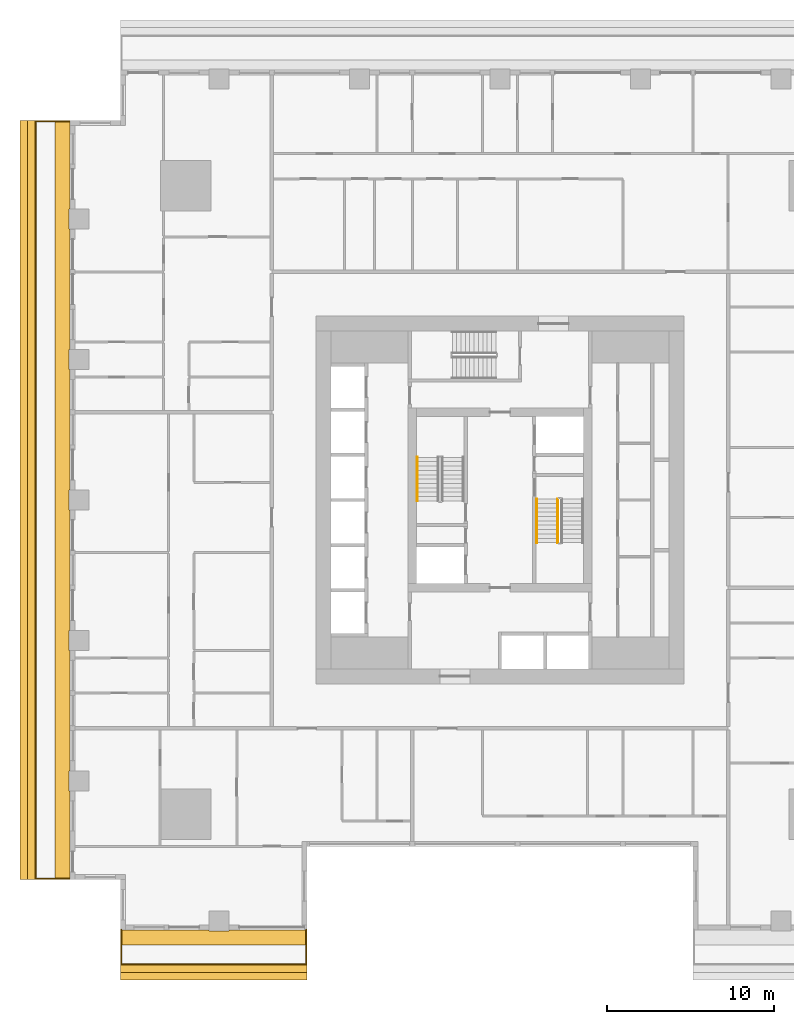
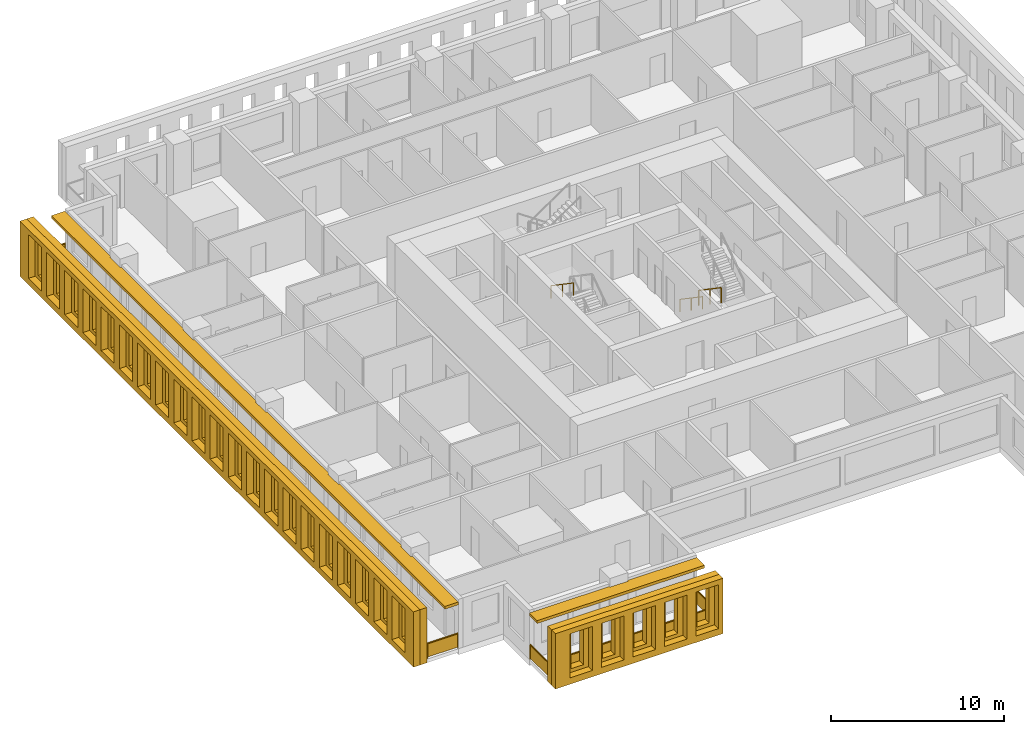
# One storey, part 10 of 14: 6 shading devices, 5 railings.
"""IFC4 building model written with IfcOpenShell, lengths in metres."""

from ifc_helpers import new_model, si_unit, direction, frame, origin, origin_2d, place, context, subcontext, project, spatial, polyline, rectangle, outline, extrude, material, layer, layer_set, type_object, element, save


model = new_model("IFC4")

# Units and contexts
model_context = context("Model", 3, precision=1e-05, world=origin(), true_north=direction((0.0, 1.0)))
body_context = subcontext(model_context, "Body", "Model", "MODEL_VIEW")
ifc_project = project(units=[si_unit("LENGTHUNIT", "METRE"), si_unit("AREAUNIT", "SQUARE_METRE"), si_unit("VOLUMEUNIT", "CUBIC_METRE"), si_unit("PLANEANGLEUNIT", "RADIAN"), si_unit("MASSUNIT", "GRAM", prefix="KILO")], contexts=[model_context])

# Site, building, storey
site_placement = place(None, origin())
site = spatial("IfcSite", under=ifc_project, at=site_placement, CompositionType="ELEMENT")
building_placement = place(site_placement, origin())
building = spatial("IfcBuilding", under=site, at=building_placement, Name="Khepri Terraces", CompositionType="ELEMENT")
storey_placement = place(building_placement, frame((0.0, 0.0, 62.10009765625)))
storey = spatial("IfcBuildingStorey", under=building, at=storey_placement, Name="L14", CompositionType="ELEMENT", Elevation=62.10009765625)

# Railings
ifc_material_1 = material(Name="Stainless steel grade 316", Category="steel")
railing_type_1 = type_object("IfcRailingType", Name="GRD-BAL-1100", PredefinedType="GUARDRAIL", material=ifc_material_1)
railing_1_placement = place(storey_placement, frame((-22.669921875, -25.719970703125, 0.0)))
element("IfcRailing", 1, at=railing_1_placement, inside=storey, type_object=railing_type_1, Name="Balcony guard L14 S", PredefinedType="GUARDRAIL", context=body_context, shape_type="SweptSolid", body=[
    extrude(rectangle(XDim=0.050048828125, YDim=0.06005859375, at=origin_2d()), frame((0.0, 0.0, 1.070068359375), z_axis=(0.0, -1.0, 0.0), x_axis=(1.0, 0.0, 0.0)), (0.0, 0.0, 1.0), 2.050048828125),
    extrude(rectangle(XDim=2.0, YDim=0.011962890625, at=origin_2d()), frame((0.0, -1.02490234375, 0.10009765625), z_axis=(0.0, 0.0, 1.0), x_axis=(0.0, -1.0, 0.0)), (0.0, 0.0, 1.0), 0.93994140625),
    extrude(rectangle(XDim=0.050048828125, YDim=0.06005859375, at=origin_2d()), frame((0.0, -2.050048828125, 1.070068359375), z_axis=(1.0, 0.0, 0.0), x_axis=(0.0, 1.0, 0.0)), (0.0, 0.0, 1.0), 11.06982421875),
    extrude(rectangle(XDim=2.163818359375, YDim=0.011962890625, at=origin_2d()), frame((1.10693359375, -2.050048828125, 0.10009765625), z_axis=(0.0, 0.0, 1.0), x_axis=(1.0, 0.0, 0.0)), (0.0, 0.0, 1.0), 0.93994140625),
    extrude(rectangle(XDim=2.163818359375, YDim=0.011962890625, at=origin_2d()), frame((3.321044921875, -2.050048828125, 0.10009765625), z_axis=(0.0, 0.0, 1.0), x_axis=(1.0, 0.0, 0.0)), (0.0, 0.0, 1.0), 0.93994140625),
    extrude(rectangle(XDim=2.163818359375, YDim=0.011962890625, at=origin_2d()), frame((5.534912109375, -2.050048828125, 0.10009765625), z_axis=(0.0, 0.0, 1.0), x_axis=(1.0, 0.0, 0.0)), (0.0, 0.0, 1.0), 0.93994140625),
    extrude(rectangle(XDim=2.163818359375, YDim=0.011962890625, at=origin_2d()), frame((7.748779296875, -2.050048828125, 0.10009765625), z_axis=(0.0, 0.0, 1.0), x_axis=(1.0, 0.0, 0.0)), (0.0, 0.0, 1.0), 0.93994140625),
    extrude(rectangle(XDim=2.163818359375, YDim=0.011962890625, at=origin_2d()), frame((9.962890625, -2.050048828125, 0.10009765625), z_axis=(0.0, 0.0, 1.0), x_axis=(1.0, 0.0, 0.0)), (0.0, 0.0, 1.0), 0.93994140625),
    extrude(rectangle(XDim=0.050048828125, YDim=0.06005859375, at=origin_2d()), frame((11.06982421875, -2.050048828125, 1.070068359375), z_axis=(0.0, 1.0, 0.0), x_axis=(-1.0, 0.0, 0.0)), (0.0, 0.0, 1.0), 2.050048828125),
    extrude(rectangle(XDim=2.0, YDim=0.011962890625, at=origin_2d()), frame((11.06982421875, -1.02490234375, 0.10009765625), z_axis=(0.0, 0.0, 1.0), x_axis=(0.0, 1.0, 0.0)), (0.0, 0.0, 1.0), 0.93994140625),
    extrude(rectangle(XDim=0.050048828125, YDim=0.050048828125, at=origin_2d()), origin(), (0.0, 0.0, 1.0), 1.0400390625),
    extrude(rectangle(XDim=0.050048828125, YDim=0.050048828125, at=origin_2d()), frame((0.0, -2.050048828125, 0.0)), (0.0, 0.0, 1.0), 1.0400390625),
    extrude(rectangle(XDim=0.050048828125, YDim=0.050048828125, at=origin_2d()), frame((2.2138671875, -2.050048828125, 0.0)), (0.0, 0.0, 1.0), 1.0400390625),
    extrude(rectangle(XDim=0.050048828125, YDim=0.050048828125, at=origin_2d()), frame((4.427978515625, -2.050048828125, 0.0)), (0.0, 0.0, 1.0), 1.0400390625),
    extrude(rectangle(XDim=0.050048828125, YDim=0.050048828125, at=origin_2d()), frame((6.641845703125, -2.050048828125, 0.0)), (0.0, 0.0, 1.0), 1.0400390625),
    extrude(rectangle(XDim=0.050048828125, YDim=0.050048828125, at=origin_2d()), frame((8.85595703125, -2.050048828125, 0.0)), (0.0, 0.0, 1.0), 1.0400390625),
    extrude(rectangle(XDim=0.050048828125, YDim=0.050048828125, at=origin_2d()), frame((11.06982421875, -2.050048828125, 0.0)), (0.0, 0.0, 1.0), 1.0400390625),
    extrude(rectangle(XDim=0.050048828125, YDim=0.050048828125, at=origin_2d()), frame((11.06982421875, 0.0, 0.0)), (0.0, 0.0, 1.0), 1.0400390625),
])
railing_2_placement = place(storey_placement, frame((-25.719970703125, 22.669921875, 0.0)))
element("IfcRailing", 2, at=railing_2_placement, inside=storey, type_object=railing_type_1, Name="Balcony guard L14 W", PredefinedType="GUARDRAIL", context=body_context, shape_type="SweptSolid", body=[
    extrude(rectangle(XDim=0.050048828125, YDim=0.06005859375, at=origin_2d()), frame((0.0, 0.0, 1.070068359375), z_axis=(-1.0, 0.0, 0.0), x_axis=(0.0, -1.0, 0.0)), (0.0, 0.0, 1.0), 2.050048828125),
    extrude(rectangle(XDim=2.0, YDim=0.011962890625, at=origin_2d()), frame((-1.02490234375, 0.0, 0.10009765625), z_axis=(0.0, 0.0, 1.0), x_axis=(-1.0, 0.0, 0.0)), (0.0, 0.0, 1.0), 0.93994140625),
    extrude(rectangle(XDim=0.050048828125, YDim=0.06005859375, at=origin_2d()), frame((-2.050048828125, 0.0, 1.070068359375), z_axis=(0.0, -1.0, 0.0), x_axis=(1.0, 0.0, 0.0)), (0.0, 0.0, 1.0), 45.33984375),
    extrude(rectangle(XDim=2.336181640625, YDim=0.011962890625, at=origin_2d()), frame((-2.050048828125, -1.193115234375, 0.10009765625), z_axis=(0.0, 0.0, 1.0), x_axis=(0.0, -1.0, 0.0)), (0.0, 0.0, 1.0), 0.93994140625),
    extrude(rectangle(XDim=2.336181640625, YDim=0.011962890625, at=origin_2d()), frame((-2.050048828125, -3.579345703125, 0.10009765625), z_axis=(0.0, 0.0, 1.0), x_axis=(0.0, -1.0, 0.0)), (0.0, 0.0, 1.0), 0.93994140625),
    extrude(rectangle(XDim=2.336181640625, YDim=0.011962890625, at=origin_2d()), frame((-2.050048828125, -5.9658203125, 0.10009765625), z_axis=(0.0, 0.0, 1.0), x_axis=(0.0, -1.0, 0.0)), (0.0, 0.0, 1.0), 0.93994140625),
    extrude(rectangle(XDim=2.336181640625, YDim=0.011962890625, at=origin_2d()), frame((-2.050048828125, -8.35205078125, 0.10009765625), z_axis=(0.0, 0.0, 1.0), x_axis=(0.0, -1.0, 0.0)), (0.0, 0.0, 1.0), 0.93994140625),
    extrude(rectangle(XDim=2.336181640625, YDim=0.011962890625, at=origin_2d()), frame((-2.050048828125, -10.73828125, 0.10009765625), z_axis=(0.0, 0.0, 1.0), x_axis=(0.0, -1.0, 0.0)), (0.0, 0.0, 1.0), 0.93994140625),
    extrude(rectangle(XDim=2.336181640625, YDim=0.011962890625, at=origin_2d()), frame((-2.050048828125, -13.124755859375, 0.10009765625), z_axis=(0.0, 0.0, 1.0), x_axis=(0.0, -1.0, 0.0)), (0.0, 0.0, 1.0), 0.93994140625),
    extrude(rectangle(XDim=2.336181640625, YDim=0.011962890625, at=origin_2d()), frame((-2.050048828125, -15.510986328125, 0.10009765625), z_axis=(0.0, 0.0, 1.0), x_axis=(0.0, -1.0, 0.0)), (0.0, 0.0, 1.0), 0.93994140625),
    extrude(rectangle(XDim=2.336181640625, YDim=0.011962890625, at=origin_2d()), frame((-2.050048828125, -17.897216796875, 0.10009765625), z_axis=(0.0, 0.0, 1.0), x_axis=(0.0, -1.0, 0.0)), (0.0, 0.0, 1.0), 0.93994140625),
    extrude(rectangle(XDim=2.336181640625, YDim=0.011962890625, at=origin_2d()), frame((-2.050048828125, -20.28369140625, 0.10009765625), z_axis=(0.0, 0.0, 1.0), x_axis=(0.0, -1.0, 0.0)), (0.0, 0.0, 1.0), 0.93994140625),
    extrude(rectangle(XDim=2.336181640625, YDim=0.011962890625, at=origin_2d()), frame((-2.050048828125, -22.669921875, 0.10009765625), z_axis=(0.0, 0.0, 1.0), x_axis=(0.0, -1.0, 0.0)), (0.0, 0.0, 1.0), 0.93994140625),
    extrude(rectangle(XDim=2.336181640625, YDim=0.011962890625, at=origin_2d()), frame((-2.050048828125, -25.05615234375, 0.10009765625), z_axis=(0.0, 0.0, 1.0), x_axis=(0.0, -1.0, 0.0)), (0.0, 0.0, 1.0), 0.93994140625),
    extrude(rectangle(XDim=2.336181640625, YDim=0.011962890625, at=origin_2d()), frame((-2.050048828125, -27.442626953125, 0.10009765625), z_axis=(0.0, 0.0, 1.0), x_axis=(0.0, -1.0, 0.0)), (0.0, 0.0, 1.0), 0.93994140625),
    extrude(rectangle(XDim=2.336181640625, YDim=0.011962890625, at=origin_2d()), frame((-2.050048828125, -29.828857421875, 0.10009765625), z_axis=(0.0, 0.0, 1.0), x_axis=(0.0, -1.0, 0.0)), (0.0, 0.0, 1.0), 0.93994140625),
    extrude(rectangle(XDim=2.336181640625, YDim=0.011962890625, at=origin_2d()), frame((-2.050048828125, -32.215087890625, 0.10009765625), z_axis=(0.0, 0.0, 1.0), x_axis=(0.0, -1.0, 0.0)), (0.0, 0.0, 1.0), 0.93994140625),
    extrude(rectangle(XDim=2.336181640625, YDim=0.011962890625, at=origin_2d()), frame((-2.050048828125, -34.6015625, 0.10009765625), z_axis=(0.0, 0.0, 1.0), x_axis=(0.0, -1.0, 0.0)), (0.0, 0.0, 1.0), 0.93994140625),
    extrude(rectangle(XDim=2.336181640625, YDim=0.011962890625, at=origin_2d()), frame((-2.050048828125, -36.98779296875, 0.10009765625), z_axis=(0.0, 0.0, 1.0), x_axis=(0.0, -1.0, 0.0)), (0.0, 0.0, 1.0), 0.93994140625),
    extrude(rectangle(XDim=2.336181640625, YDim=0.011962890625, at=origin_2d()), frame((-2.050048828125, -39.3740234375, 0.10009765625), z_axis=(0.0, 0.0, 1.0), x_axis=(0.0, -1.0, 0.0)), (0.0, 0.0, 1.0), 0.93994140625),
    extrude(rectangle(XDim=2.336181640625, YDim=0.011962890625, at=origin_2d()), frame((-2.050048828125, -41.760498046875, 0.10009765625), z_axis=(0.0, 0.0, 1.0), x_axis=(0.0, -1.0, 0.0)), (0.0, 0.0, 1.0), 0.93994140625),
    extrude(rectangle(XDim=2.336181640625, YDim=0.011962890625, at=origin_2d()), frame((-2.050048828125, -44.146728515625, 0.10009765625), z_axis=(0.0, 0.0, 1.0), x_axis=(0.0, -1.0, 0.0)), (0.0, 0.0, 1.0), 0.93994140625),
    extrude(rectangle(XDim=0.050048828125, YDim=0.06005859375, at=origin_2d()), frame((-2.050048828125, -45.33984375, 1.070068359375), z_axis=(1.0, 0.0, 0.0), x_axis=(0.0, 1.0, 0.0)), (0.0, 0.0, 1.0), 2.050048828125),
    extrude(rectangle(XDim=2.0, YDim=0.011962890625, at=origin_2d()), frame((-1.02490234375, -45.33984375, 0.10009765625), z_axis=(0.0, 0.0, 1.0), x_axis=(1.0, 0.0, 0.0)), (0.0, 0.0, 1.0), 0.93994140625),
    extrude(rectangle(XDim=0.050048828125, YDim=0.050048828125, at=origin_2d()), origin(), (0.0, 0.0, 1.0), 1.0400390625),
    extrude(rectangle(XDim=0.050048828125, YDim=0.050048828125, at=origin_2d()), frame((-2.050048828125, 0.0, 0.0)), (0.0, 0.0, 1.0), 1.0400390625),
    extrude(rectangle(XDim=0.050048828125, YDim=0.050048828125, at=origin_2d()), frame((-2.050048828125, -2.38623046875, 0.0)), (0.0, 0.0, 1.0), 1.0400390625),
    extrude(rectangle(XDim=0.050048828125, YDim=0.050048828125, at=origin_2d()), frame((-2.050048828125, -4.772705078125, 0.0)), (0.0, 0.0, 1.0), 1.0400390625),
    extrude(rectangle(XDim=0.050048828125, YDim=0.050048828125, at=origin_2d()), frame((-2.050048828125, -7.158935546875, 0.0)), (0.0, 0.0, 1.0), 1.0400390625),
    extrude(rectangle(XDim=0.050048828125, YDim=0.050048828125, at=origin_2d()), frame((-2.050048828125, -9.545166015625, 0.0)), (0.0, 0.0, 1.0), 1.0400390625),
    extrude(rectangle(XDim=0.050048828125, YDim=0.050048828125, at=origin_2d()), frame((-2.050048828125, -11.931640625, 0.0)), (0.0, 0.0, 1.0), 1.0400390625),
    extrude(rectangle(XDim=0.050048828125, YDim=0.050048828125, at=origin_2d()), frame((-2.050048828125, -14.31787109375, 0.0)), (0.0, 0.0, 1.0), 1.0400390625),
    extrude(rectangle(XDim=0.050048828125, YDim=0.050048828125, at=origin_2d()), frame((-2.050048828125, -16.7041015625, 0.0)), (0.0, 0.0, 1.0), 1.0400390625),
    extrude(rectangle(XDim=0.050048828125, YDim=0.050048828125, at=origin_2d()), frame((-2.050048828125, -19.090576171875, 0.0)), (0.0, 0.0, 1.0), 1.0400390625),
    extrude(rectangle(XDim=0.050048828125, YDim=0.050048828125, at=origin_2d()), frame((-2.050048828125, -21.476806640625, 0.0)), (0.0, 0.0, 1.0), 1.0400390625),
    extrude(rectangle(XDim=0.050048828125, YDim=0.050048828125, at=origin_2d()), frame((-2.050048828125, -23.863037109375, 0.0)), (0.0, 0.0, 1.0), 1.0400390625),
    extrude(rectangle(XDim=0.050048828125, YDim=0.050048828125, at=origin_2d()), frame((-2.050048828125, -26.249267578125, 0.0)), (0.0, 0.0, 1.0), 1.0400390625),
    extrude(rectangle(XDim=0.050048828125, YDim=0.050048828125, at=origin_2d()), frame((-2.050048828125, -28.6357421875, 0.0)), (0.0, 0.0, 1.0), 1.0400390625),
    extrude(rectangle(XDim=0.050048828125, YDim=0.050048828125, at=origin_2d()), frame((-2.050048828125, -31.02197265625, 0.0)), (0.0, 0.0, 1.0), 1.0400390625),
    extrude(rectangle(XDim=0.050048828125, YDim=0.050048828125, at=origin_2d()), frame((-2.050048828125, -33.408203125, 0.0)), (0.0, 0.0, 1.0), 1.0400390625),
    extrude(rectangle(XDim=0.050048828125, YDim=0.050048828125, at=origin_2d()), frame((-2.050048828125, -35.794677734375, 0.0)), (0.0, 0.0, 1.0), 1.0400390625),
    extrude(rectangle(XDim=0.050048828125, YDim=0.050048828125, at=origin_2d()), frame((-2.050048828125, -38.180908203125, 0.0)), (0.0, 0.0, 1.0), 1.0400390625),
    extrude(rectangle(XDim=0.050048828125, YDim=0.050048828125, at=origin_2d()), frame((-2.050048828125, -40.567138671875, 0.0)), (0.0, 0.0, 1.0), 1.0400390625),
    extrude(rectangle(XDim=0.050048828125, YDim=0.050048828125, at=origin_2d()), frame((-2.050048828125, -42.95361328125, 0.0)), (0.0, 0.0, 1.0), 1.0400390625),
    extrude(rectangle(XDim=0.050048828125, YDim=0.050048828125, at=origin_2d()), frame((-2.050048828125, -45.33984375, 0.0)), (0.0, 0.0, 1.0), 1.0400390625),
    extrude(rectangle(XDim=0.050048828125, YDim=0.050048828125, at=origin_2d()), frame((0.0, -45.33984375, 0.0)), (0.0, 0.0, 1.0), 1.0400390625),
])
ifc_material_2 = material(Name="Stainless steel 316", Category="steel")
railing_type_2 = type_object("IfcRailingType", Name="RL-CORE-GUARD", PredefinedType="GUARDRAIL", material=ifc_material_2)
railing_3_placement = place(storey_placement, frame((3.449951171875, 0.050048828125, 0.17724609375)))
element("IfcRailing", 3, at=railing_3_placement, inside=storey, type_object=railing_type_2, Name="L14 ST-2 stair guard 1", PredefinedType="GUARDRAIL", context=body_context, shape_type="SweptSolid", body=[
    extrude(rectangle(XDim=0.050048828125, YDim=0.06005859375, at=origin_2d()), frame((0.0, 0.0, 1.070068359375), z_axis=(0.0, -0.826240473404, 0.563317565952), x_axis=(1.0, 0.0, 0.0)), (0.0, 0.0, 1.0), 3.14697265625),
    extrude(rectangle(XDim=0.050048828125, YDim=0.050048828125, at=origin_2d()), origin(), (0.0, 0.0, 1.0), 1.0400390625),
    extrude(rectangle(XDim=0.050048828125, YDim=0.050048828125, at=origin_2d()), frame((0.0, -1.300048828125, 0.88623046875)), (0.0, 0.0, 1.0), 1.0400390625),
    extrude(rectangle(XDim=0.050048828125, YDim=0.050048828125, at=origin_2d()), frame((0.0, -2.60009765625, 1.772705078125)), (0.0, 0.0, 1.0), 1.0400390625),
])
railing_type_3 = type_object("IfcRailingType", Name="RL-CORE-HANDRAIL", PredefinedType="HANDRAIL", material=ifc_material_2)
for number, where, name in (
    (4, (-4.949951171875, 2.550048828125, 2.127197265625), "L14 ST-1 stair handrail 2"),
    (5, (2.199951171875, 0.050048828125, 0.17724609375), "L14 ST-2 stair handrail 1"),
):
    element("IfcRailing", number, at=place(storey_placement, frame(where)), inside=storey, type_object=railing_type_3, Name=name, PredefinedType="HANDRAIL", context=body_context, shape_type="SweptSolid", body=[
        extrude(rectangle(XDim=0.050048828125, YDim=0.050048828125, at=origin_2d()), frame((0.0, 0.0, 0.875), z_axis=(0.0, -0.826240473404, 0.563317565952), x_axis=(1.0, 0.0, 0.0)), (0.0, 0.0, 1.0), 3.14697265625),
        extrude(rectangle(XDim=0.050048828125, YDim=0.050048828125, at=origin_2d()), origin(), (0.0, 0.0, 1.0), 0.849853515625),
        extrude(rectangle(XDim=0.050048828125, YDim=0.050048828125, at=origin_2d()), frame((0.0, -1.300048828125, 0.88623046875)), (0.0, 0.0, 1.0), 0.849853515625),
        extrude(rectangle(XDim=0.050048828125, YDim=0.050048828125, at=origin_2d()), frame((0.0, -2.60009765625, 1.772705078125)), (0.0, 0.0, 1.0), 0.849853515625),
    ])

# Shading devices
ifc_material_3 = material(Name="Precast concrete C50/60 warm stone", Category="masonry")
shading_device_type_1 = type_object("IfcShadingDeviceType", Name="SCR-CELL-INNER-450", PredefinedType="USERDEFINED", material=ifc_material_3)
shading_device_1_placement = place(storey_placement, frame((-22.719970703125, -27.820068359375, -0.25), z_axis=(0.0, -1.0, 0.0), x_axis=(1.0, 0.0, 0.0)))
element("IfcShadingDevice", 6, at=shading_device_1_placement, inside=storey, type_object=shading_device_type_1, Name="Cell screen L14 S in", ObjectType="SCREEN", PredefinedType="USERDEFINED", context=body_context, shape_type="SweptSolid", body=[
    extrude(outline(polyline([(0.0, 0.0), (11.169921875, 0.0), (11.169921875, 3.89990234375), (0.0, 3.89990234375), (0.0, 0.0)]), holes=[polyline([(1.318359375, 0.699951171875), (2.12158203125, 0.699951171875), (2.12158203125, 3.300048828125), (1.318359375, 3.300048828125), (1.318359375, 0.699951171875)]), polyline([(3.41845703125, 0.699951171875), (4.2216796875, 0.699951171875), (4.2216796875, 3.300048828125), (3.41845703125, 3.300048828125), (3.41845703125, 0.699951171875)]), polyline([(5.518310546875, 0.699951171875), (6.321533203125, 0.699951171875), (6.321533203125, 3.300048828125), (5.518310546875, 3.300048828125), (5.518310546875, 0.699951171875)]), polyline([(7.618408203125, 0.699951171875), (8.421630859375, 0.699951171875), (8.421630859375, 3.300048828125), (7.618408203125, 3.300048828125), (7.618408203125, 0.699951171875)]), polyline([(9.718505859375, 0.699951171875), (10.521484375, 0.699951171875), (10.521484375, 3.300048828125), (9.718505859375, 3.300048828125), (9.718505859375, 0.699951171875)])]), origin(), (0.0, 0.0, 1.0), 0.449951171875),
])
shading_device_2_placement = place(storey_placement, frame((-27.820068359375, 22.719970703125, -0.25), z_axis=(-1.0, 0.0, 0.0), x_axis=(0.0, -1.0, 0.0)))
element("IfcShadingDevice", 7, at=shading_device_2_placement, inside=storey, type_object=shading_device_type_1, Name="Cell screen L14 W in", ObjectType="SCREEN", PredefinedType="USERDEFINED", context=body_context, shape_type="SweptSolid", body=[
    extrude(outline(polyline([(0.0, 0.0), (45.43994140625, 0.0), (45.43994140625, 3.89990234375), (0.0, 3.89990234375), (0.0, 0.0)]), holes=[polyline([(1.318359375, 0.699951171875), (2.12158203125, 0.699951171875), (2.12158203125, 3.300048828125), (1.318359375, 3.300048828125), (1.318359375, 0.699951171875)]), polyline([(3.41845703125, 0.699951171875), (4.2216796875, 0.699951171875), (4.2216796875, 3.300048828125), (3.41845703125, 3.300048828125), (3.41845703125, 0.699951171875)]), polyline([(5.518310546875, 0.699951171875), (6.321533203125, 0.699951171875), (6.321533203125, 3.300048828125), (5.518310546875, 3.300048828125), (5.518310546875, 0.699951171875)]), polyline([(7.618408203125, 0.699951171875), (8.421630859375, 0.699951171875), (8.421630859375, 3.300048828125), (7.618408203125, 3.300048828125), (7.618408203125, 0.699951171875)]), polyline([(9.718505859375, 0.699951171875), (10.521484375, 0.699951171875), (10.521484375, 3.300048828125), (9.718505859375, 3.300048828125), (9.718505859375, 0.699951171875)]), polyline([(11.818359375, 0.699951171875), (12.62158203125, 0.699951171875), (12.62158203125, 3.300048828125), (11.818359375, 3.300048828125), (11.818359375, 0.699951171875)]), polyline([(13.91845703125, 0.699951171875), (14.7216796875, 0.699951171875), (14.7216796875, 3.300048828125), (13.91845703125, 3.300048828125), (13.91845703125, 0.699951171875)]), polyline([(16.018310546875, 0.699951171875), (16.821533203125, 0.699951171875), (16.821533203125, 3.300048828125), (16.018310546875, 3.300048828125), (16.018310546875, 0.699951171875)]), polyline([(18.118408203125, 0.699951171875), (18.921630859375, 0.699951171875), (18.921630859375, 3.300048828125), (18.118408203125, 3.300048828125), (18.118408203125, 0.699951171875)]), polyline([(20.218505859375, 0.699951171875), (21.021484375, 0.699951171875), (21.021484375, 3.300048828125), (20.218505859375, 3.300048828125), (20.218505859375, 0.699951171875)]), polyline([(22.318359375, 0.699951171875), (23.12158203125, 0.699951171875), (23.12158203125, 3.300048828125), (22.318359375, 3.300048828125), (22.318359375, 0.699951171875)]), polyline([(24.41845703125, 0.699951171875), (25.2216796875, 0.699951171875), (25.2216796875, 3.300048828125), (24.41845703125, 3.300048828125), (24.41845703125, 0.699951171875)]), polyline([(26.518310546875, 0.699951171875), (27.321533203125, 0.699951171875), (27.321533203125, 3.300048828125), (26.518310546875, 3.300048828125), (26.518310546875, 0.699951171875)]), polyline([(28.618408203125, 0.699951171875), (29.421630859375, 0.699951171875), (29.421630859375, 3.300048828125), (28.618408203125, 3.300048828125), (28.618408203125, 0.699951171875)]), polyline([(30.718505859375, 0.699951171875), (31.521484375, 0.699951171875), (31.521484375, 3.300048828125), (30.718505859375, 3.300048828125), (30.718505859375, 0.699951171875)]), polyline([(32.818359375, 0.699951171875), (33.62158203125, 0.699951171875), (33.62158203125, 3.300048828125), (32.818359375, 3.300048828125), (32.818359375, 0.699951171875)]), polyline([(34.91845703125, 0.699951171875), (35.7216796875, 0.699951171875), (35.7216796875, 3.300048828125), (34.91845703125, 3.300048828125), (34.91845703125, 0.699951171875)]), polyline([(37.018310546875, 0.699951171875), (37.821533203125, 0.699951171875), (37.821533203125, 3.300048828125), (37.018310546875, 3.300048828125), (37.018310546875, 0.699951171875)]), polyline([(39.118408203125, 0.699951171875), (39.921630859375, 0.699951171875), (39.921630859375, 3.300048828125), (39.118408203125, 3.300048828125), (39.118408203125, 0.699951171875)]), polyline([(41.218505859375, 0.699951171875), (42.021484375, 0.699951171875), (42.021484375, 3.300048828125), (41.218505859375, 3.300048828125), (41.218505859375, 0.699951171875)]), polyline([(43.318359375, 0.699951171875), (44.12158203125, 0.699951171875), (44.12158203125, 3.300048828125), (43.318359375, 3.300048828125), (43.318359375, 0.699951171875)])]), origin(), (0.0, 0.0, 1.0), 0.449951171875),
])
shading_device_type_2 = type_object("IfcShadingDeviceType", Name="SCR-CELL-OUTER-450", PredefinedType="USERDEFINED", material=ifc_material_3)
shading_device_3_placement = place(storey_placement, frame((-22.719970703125, -28.27001953125, -0.25), z_axis=(0.0, -1.0, 0.0), x_axis=(1.0, 0.0, 0.0)))
element("IfcShadingDevice", 8, at=shading_device_3_placement, inside=storey, type_object=shading_device_type_2, Name="Cell screen L14 S out", ObjectType="SCREEN", PredefinedType="USERDEFINED", context=body_context, shape_type="SweptSolid", body=[
    extrude(outline(polyline([(0.0, 0.0), (11.169921875, 0.0), (11.169921875, 3.89990234375), (0.0, 3.89990234375), (0.0, 0.0)]), holes=[polyline([(0.968505859375, 0.449951171875), (2.4716796875, 0.449951171875), (2.4716796875, 3.550048828125), (0.968505859375, 3.550048828125), (0.968505859375, 0.449951171875)]), polyline([(3.068359375, 0.449951171875), (4.571533203125, 0.449951171875), (4.571533203125, 3.550048828125), (3.068359375, 3.550048828125), (3.068359375, 0.449951171875)]), polyline([(5.16845703125, 0.449951171875), (6.671630859375, 0.449951171875), (6.671630859375, 3.550048828125), (5.16845703125, 3.550048828125), (5.16845703125, 0.449951171875)]), polyline([(7.268310546875, 0.449951171875), (8.771484375, 0.449951171875), (8.771484375, 3.550048828125), (7.268310546875, 3.550048828125), (7.268310546875, 0.449951171875)]), polyline([(9.368408203125, 0.449951171875), (10.87158203125, 0.449951171875), (10.87158203125, 3.550048828125), (9.368408203125, 3.550048828125), (9.368408203125, 0.449951171875)])]), origin(), (0.0, 0.0, 1.0), 0.449951171875),
])
shading_device_4_placement = place(storey_placement, frame((-28.27001953125, 22.719970703125, -0.25), z_axis=(-1.0, 0.0, 0.0), x_axis=(0.0, -1.0, 0.0)))
element("IfcShadingDevice", 9, at=shading_device_4_placement, inside=storey, type_object=shading_device_type_2, Name="Cell screen L14 W out", ObjectType="SCREEN", PredefinedType="USERDEFINED", context=body_context, shape_type="SweptSolid", body=[
    extrude(outline(polyline([(0.0, 0.0), (45.43994140625, 0.0), (45.43994140625, 3.89990234375), (0.0, 3.89990234375), (0.0, 0.0)]), holes=[polyline([(0.968505859375, 0.449951171875), (2.4716796875, 0.449951171875), (2.4716796875, 3.550048828125), (0.968505859375, 3.550048828125), (0.968505859375, 0.449951171875)]), polyline([(3.068359375, 0.449951171875), (4.571533203125, 0.449951171875), (4.571533203125, 3.550048828125), (3.068359375, 3.550048828125), (3.068359375, 0.449951171875)]), polyline([(5.16845703125, 0.449951171875), (6.671630859375, 0.449951171875), (6.671630859375, 3.550048828125), (5.16845703125, 3.550048828125), (5.16845703125, 0.449951171875)]), polyline([(7.268310546875, 0.449951171875), (8.771484375, 0.449951171875), (8.771484375, 3.550048828125), (7.268310546875, 3.550048828125), (7.268310546875, 0.449951171875)]), polyline([(9.368408203125, 0.449951171875), (10.87158203125, 0.449951171875), (10.87158203125, 3.550048828125), (9.368408203125, 3.550048828125), (9.368408203125, 0.449951171875)]), polyline([(11.468505859375, 0.449951171875), (12.9716796875, 0.449951171875), (12.9716796875, 3.550048828125), (11.468505859375, 3.550048828125), (11.468505859375, 0.449951171875)]), polyline([(13.568359375, 0.449951171875), (15.071533203125, 0.449951171875), (15.071533203125, 3.550048828125), (13.568359375, 3.550048828125), (13.568359375, 0.449951171875)]), polyline([(15.66845703125, 0.449951171875), (17.171630859375, 0.449951171875), (17.171630859375, 3.550048828125), (15.66845703125, 3.550048828125), (15.66845703125, 0.449951171875)]), polyline([(17.768310546875, 0.449951171875), (19.271484375, 0.449951171875), (19.271484375, 3.550048828125), (17.768310546875, 3.550048828125), (17.768310546875, 0.449951171875)]), polyline([(19.868408203125, 0.449951171875), (21.37158203125, 0.449951171875), (21.37158203125, 3.550048828125), (19.868408203125, 3.550048828125), (19.868408203125, 0.449951171875)]), polyline([(21.968505859375, 0.449951171875), (23.4716796875, 0.449951171875), (23.4716796875, 3.550048828125), (21.968505859375, 3.550048828125), (21.968505859375, 0.449951171875)]), polyline([(24.068359375, 0.449951171875), (25.571533203125, 0.449951171875), (25.571533203125, 3.550048828125), (24.068359375, 3.550048828125), (24.068359375, 0.449951171875)]), polyline([(26.16845703125, 0.449951171875), (27.671630859375, 0.449951171875), (27.671630859375, 3.550048828125), (26.16845703125, 3.550048828125), (26.16845703125, 0.449951171875)]), polyline([(28.268310546875, 0.449951171875), (29.771484375, 0.449951171875), (29.771484375, 3.550048828125), (28.268310546875, 3.550048828125), (28.268310546875, 0.449951171875)]), polyline([(30.368408203125, 0.449951171875), (31.87158203125, 0.449951171875), (31.87158203125, 3.550048828125), (30.368408203125, 3.550048828125), (30.368408203125, 0.449951171875)]), polyline([(32.468505859375, 0.449951171875), (33.9716796875, 0.449951171875), (33.9716796875, 3.550048828125), (32.468505859375, 3.550048828125), (32.468505859375, 0.449951171875)]), polyline([(34.568359375, 0.449951171875), (36.071533203125, 0.449951171875), (36.071533203125, 3.550048828125), (34.568359375, 3.550048828125), (34.568359375, 0.449951171875)]), polyline([(36.66845703125, 0.449951171875), (38.171630859375, 0.449951171875), (38.171630859375, 3.550048828125), (36.66845703125, 3.550048828125), (36.66845703125, 0.449951171875)]), polyline([(38.768310546875, 0.449951171875), (40.271484375, 0.449951171875), (40.271484375, 3.550048828125), (38.768310546875, 3.550048828125), (38.768310546875, 0.449951171875)]), polyline([(40.868408203125, 0.449951171875), (42.37158203125, 0.449951171875), (42.37158203125, 3.550048828125), (40.868408203125, 3.550048828125), (40.868408203125, 0.449951171875)]), polyline([(42.968505859375, 0.449951171875), (44.4716796875, 0.449951171875), (44.4716796875, 3.550048828125), (42.968505859375, 3.550048828125), (42.968505859375, 0.449951171875)])]), origin(), (0.0, 0.0, 1.0), 0.449951171875),
])
ifc_layer = layer(ifc_material_3, 0.199951171875, Name="Precast concrete C50/60 warm stone", Category="masonry")
ifc_layer_set = layer_set([ifc_layer], Name="Precast concrete C50/60 warm stone")
shading_device_type_3 = type_object("IfcShadingDeviceType", Name="SSH-BAND-STONE-200", PredefinedType="USERDEFINED", material=ifc_layer_set)
shading_device_5_placement = place(storey_placement, frame((0.0, 0.0, 3.099853515625)))
element("IfcShadingDevice", 10, at=shading_device_5_placement, inside=storey, type_object=shading_device_type_3, Name="Sunshade band L14 S", ObjectType="SUNSHADE", PredefinedType="USERDEFINED", context=body_context, shape_type="SweptSolid", body=[
    extrude(outline(polyline([(-17.39990234375, -25.719970703125), (-22.719970703125, -25.719970703125), (-22.719970703125, -26.6201171875), (-11.550048828125, -26.6201171875), (-11.550048828125, -25.719970703125), (-16.199951171875, -25.719970703125), (-16.199951171875, -25.800048828125), (-17.39990234375, -25.800048828125), (-17.39990234375, -25.719970703125)])), origin(), (0.0, 0.0, 1.0), 0.199951171875),
])
shading_device_6_placement = place(storey_placement, frame((0.0, 0.0, 3.099853515625)))
element("IfcShadingDevice", 11, at=shading_device_6_placement, inside=storey, type_object=shading_device_type_3, Name="Sunshade band L14 W", ObjectType="SUNSHADE", PredefinedType="USERDEFINED", context=body_context, shape_type="SweptSolid", body=[
    extrude(outline(polyline([(-25.719970703125, 17.39990234375), (-25.719970703125, 22.719970703125), (-26.6201171875, 22.719970703125), (-26.6201171875, -22.719970703125), (-25.719970703125, -22.719970703125), (-25.719970703125, -17.39990234375), (-25.800048828125, -17.39990234375), (-25.800048828125, -16.199951171875), (-25.719970703125, -16.199951171875), (-25.719970703125, -9.0), (-25.800048828125, -9.0), (-25.800048828125, -7.800048828125), (-25.719970703125, -7.800048828125), (-25.719970703125, -0.60009765625), (-25.800048828125, -0.60009765625), (-25.800048828125, 0.60009765625), (-25.719970703125, 0.60009765625), (-25.719970703125, 7.800048828125), (-25.800048828125, 7.800048828125), (-25.800048828125, 9.0), (-25.719970703125, 9.0), (-25.719970703125, 16.199951171875), (-25.800048828125, 16.199951171875), (-25.800048828125, 17.39990234375), (-25.719970703125, 17.39990234375)])), origin(), (0.0, 0.0, 1.0), 0.199951171875),
])

save(model, "model.ifc")
